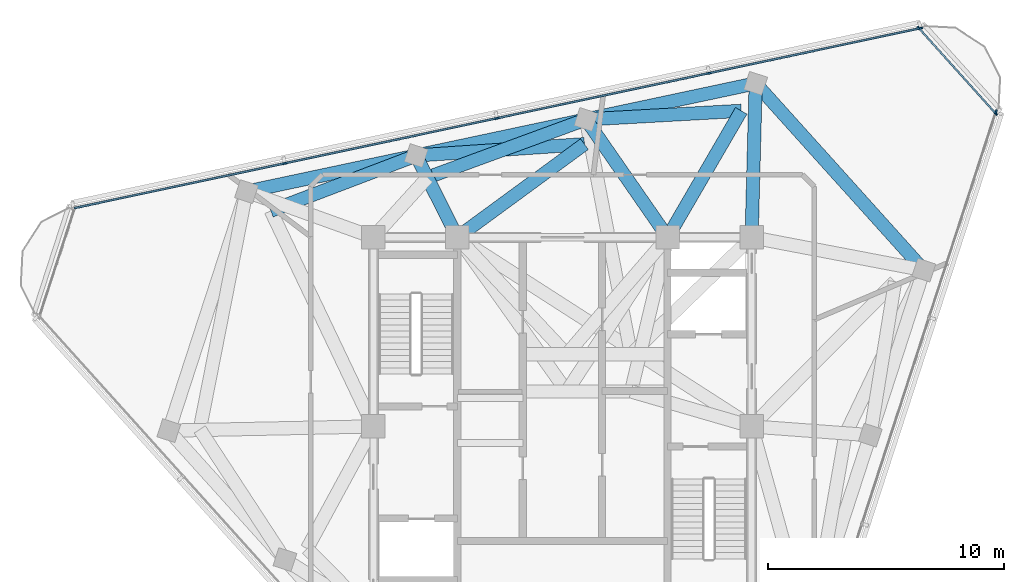
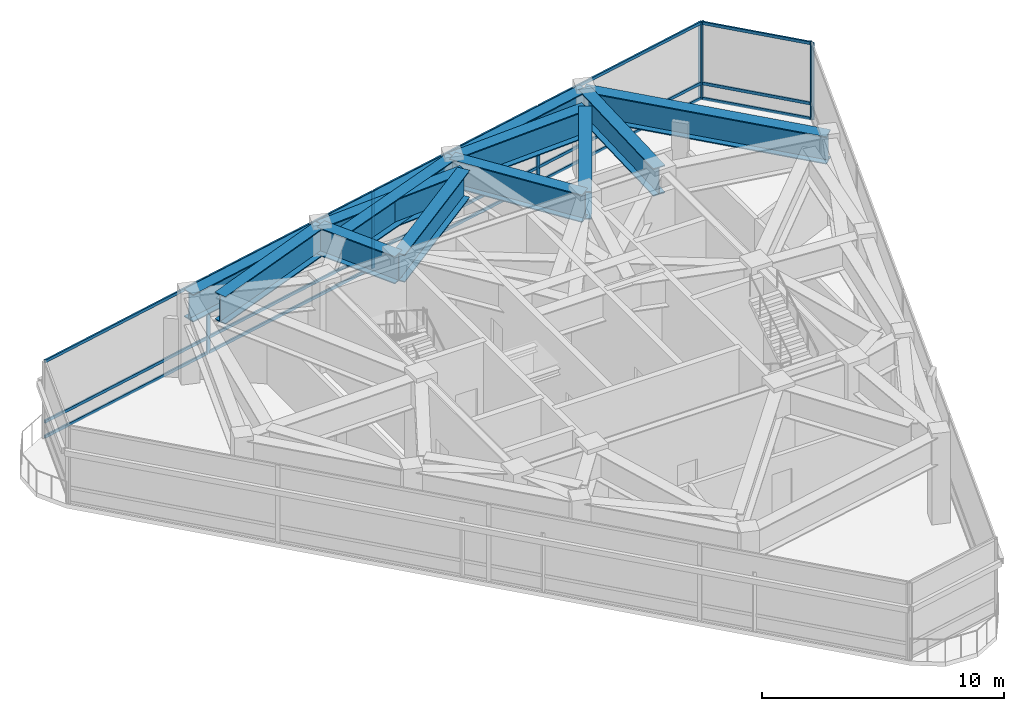
# One storey, part 5 of 10: 22 members, 13 beams, 3 elements without a shape of their own.
"""IFC4 building model written with IfcOpenShell, lengths in metres."""

from ifc_helpers import new_model, si_unit, direction, frame, origin, origin_2d, place, context, subcontext, project, spatial, rectangle, i_section, extrude, material, layer, layer_set, material_profile, profile_set, type_object, element, aggregate, save


model = new_model("IFC4")

# Units and contexts
model_context = context("Model", 3, precision=1e-05, world=origin(), true_north=direction((0.0, 1.0)))
body_context = subcontext(model_context, "Body", "Model", "MODEL_VIEW")
ifc_project = project(units=[si_unit("LENGTHUNIT", "METRE"), si_unit("AREAUNIT", "SQUARE_METRE"), si_unit("VOLUMEUNIT", "CUBIC_METRE"), si_unit("PLANEANGLEUNIT", "RADIAN"), si_unit("MASSUNIT", "GRAM", prefix="KILO")], contexts=[model_context])

# Site, building, storey
site_placement = place(None, origin())
site = spatial("IfcSite", under=ifc_project, at=site_placement, CompositionType="ELEMENT")
building_placement = place(site_placement, origin())
building = spatial("IfcBuilding", under=site, at=building_placement, Name="Terralouvre Media Tower", CompositionType="ELEMENT")
storey_placement = place(building_placement, frame((0.0, 0.0, 317.39990234375)))
storey = spatial("IfcBuildingStorey", under=building, at=storey_placement, Name="L82", CompositionType="ELEMENT", Elevation=317.39990234375)

# Curtain wall, members
ifc_material_1 = material(Name="Low-iron laminated double glazing with solar-control coating", Category="glass")
ifc_layer_1 = layer(ifc_material_1, 0.1650390625, Name="Faceted Glass-Point Crown Curtain Wall CW-06")
ifc_layer_set_1 = layer_set([ifc_layer_1], Name="Low-iron laminated double glazing with solar-control coating")
curtain_wall_type_1 = type_object("IfcCurtainWallType", Name="Faceted Glass-Point Crown Curtain Wall CW-06", PredefinedType="NOTDEFINED", material=ifc_layer_set_1)
curtain_wall_1_placement = place(storey_placement, origin())
curtain_wall_1 = element("IfcCurtainWall", 1, at=curtain_wall_1_placement, inside=storey, type_object=curtain_wall_type_1, Name="L82 Facade Curtain Wall F1", PredefinedType="NOTDEFINED")
ifc_material_2 = material(Name="Anodised extruded aluminium 6063-T6", Category="aluminium")
ifc_material_profile_1 = material_profile(ifc_material_2, rectangle(XDim=0.074951171875, YDim=0.14990234375, at=origin_2d()), Name="ALU 75x150")
ifc_profile_set_1 = profile_set([ifc_material_profile_1], Name="Anodised extruded aluminium 6063-T6")
member_type_1 = type_object("IfcMemberType", Name="Curtain-Wall Horizontal Transom TR-150", PredefinedType="USERDEFINED", material=ifc_profile_set_1)
member_1_placement = place(storey_placement, frame((15.10546875, 16.832763671875, 0.03759765625), z_axis=(-0.978146045856, -0.207919005809, 0.0), x_axis=(0.207919005809, -0.978146045856, 0.0)))
member_1 = element("IfcMember", 2, at=member_1_placement, type_object=member_type_1, Name="CW-06 transom 1.1", ObjectType="TRANSOM", PredefinedType="USERDEFINED", context=body_context, shape_type="SweptSolid", body=[
    extrude(rectangle(XDim=0.074951171875, YDim=0.14990234375, at=origin_2d()), origin(), (0.0, 0.0, 1.0), 9.0625),
])
member_2_placement = place(storey_placement, frame((15.10546875, 16.832763671875, 0.800048828125), z_axis=(-0.978146045856, -0.207919005809, 0.0), x_axis=(0.207919005809, -0.978146045856, 0.0)))
member_2 = element("IfcMember", 3, at=member_2_placement, type_object=member_type_1, Name="CW-06 transom 1.2", ObjectType="TRANSOM", PredefinedType="USERDEFINED", context=body_context, shape_type="SweptSolid", body=[
    extrude(rectangle(XDim=0.074951171875, YDim=0.14990234375, at=origin_2d()), origin(), (0.0, 0.0, 1.0), 9.0625),
])
member_3_placement = place(storey_placement, frame((15.10546875, 16.832763671875, 3.842529296875), z_axis=(-0.978146045856, -0.207919005809, 0.0), x_axis=(0.207919005809, -0.978146045856, 0.0)))
member_3 = element("IfcMember", 4, at=member_3_placement, type_object=member_type_1, Name="CW-06 transom 1.3", ObjectType="TRANSOM", PredefinedType="USERDEFINED", context=body_context, shape_type="SweptSolid", body=[
    extrude(rectangle(XDim=0.074951171875, YDim=0.14990234375, at=origin_2d()), origin(), (0.0, 0.0, 1.0), 9.0625),
])
member_4_placement = place(storey_placement, frame((6.16748046875, 14.93310546875, 0.03759765625), z_axis=(-0.978145416506, -0.207921966536, 0.0), x_axis=(0.207921966536, -0.978145416506, 0.0)))
member_4 = element("IfcMember", 5, at=member_4_placement, type_object=member_type_1, Name="CW-06 transom 2.1", ObjectType="TRANSOM", PredefinedType="USERDEFINED", context=body_context, shape_type="SweptSolid", body=[
    extrude(rectangle(XDim=0.074951171875, YDim=0.14990234375, at=origin_2d()), origin(), (0.0, 0.0, 1.0), 9.10009765625),
])
member_5_placement = place(storey_placement, frame((6.16748046875, 14.93310546875, 0.800048828125), z_axis=(-0.978145416506, -0.207921966536, 0.0), x_axis=(0.207921966536, -0.978145416506, 0.0)))
member_5 = element("IfcMember", 6, at=member_5_placement, type_object=member_type_1, Name="CW-06 transom 2.2", ObjectType="TRANSOM", PredefinedType="USERDEFINED", context=body_context, shape_type="SweptSolid", body=[
    extrude(rectangle(XDim=0.074951171875, YDim=0.14990234375, at=origin_2d()), origin(), (0.0, 0.0, 1.0), 9.10009765625),
])
member_6_placement = place(storey_placement, frame((6.16748046875, 14.93310546875, 3.842529296875), z_axis=(-0.978145416506, -0.207921966536, 0.0), x_axis=(0.207921966536, -0.978145416506, 0.0)))
member_6 = element("IfcMember", 7, at=member_6_placement, type_object=member_type_1, Name="CW-06 transom 2.3", ObjectType="TRANSOM", PredefinedType="USERDEFINED", context=body_context, shape_type="SweptSolid", body=[
    extrude(rectangle(XDim=0.074951171875, YDim=0.14990234375, at=origin_2d()), origin(), (0.0, 0.0, 1.0), 9.10009765625),
])
member_7_placement = place(storey_placement, frame((-2.806884765625, 13.025390625, 0.03759765625), z_axis=(-0.978145416506, -0.207921966536, 0.0), x_axis=(0.207921966536, -0.978145416506, 0.0)))
member_7 = element("IfcMember", 8, at=member_7_placement, type_object=member_type_1, Name="CW-06 transom 3.1", ObjectType="TRANSOM", PredefinedType="USERDEFINED", context=body_context, shape_type="SweptSolid", body=[
    extrude(rectangle(XDim=0.074951171875, YDim=0.14990234375, at=origin_2d()), origin(), (0.0, 0.0, 1.0), 9.10009765625),
])
member_8_placement = place(storey_placement, frame((-2.806884765625, 13.025390625, 0.800048828125), z_axis=(-0.978145416506, -0.207921966536, 0.0), x_axis=(0.207921966536, -0.978145416506, 0.0)))
member_8 = element("IfcMember", 9, at=member_8_placement, type_object=member_type_1, Name="CW-06 transom 3.2", ObjectType="TRANSOM", PredefinedType="USERDEFINED", context=body_context, shape_type="SweptSolid", body=[
    extrude(rectangle(XDim=0.074951171875, YDim=0.14990234375, at=origin_2d()), origin(), (0.0, 0.0, 1.0), 9.10009765625),
])
member_9_placement = place(storey_placement, frame((-2.806884765625, 13.025390625, 3.842529296875), z_axis=(-0.978145416506, -0.207921966536, 0.0), x_axis=(0.207921966536, -0.978145416506, 0.0)))
member_9 = element("IfcMember", 10, at=member_9_placement, type_object=member_type_1, Name="CW-06 transom 3.3", ObjectType="TRANSOM", PredefinedType="USERDEFINED", context=body_context, shape_type="SweptSolid", body=[
    extrude(rectangle(XDim=0.074951171875, YDim=0.14990234375, at=origin_2d()), origin(), (0.0, 0.0, 1.0), 9.10009765625),
])
member_10_placement = place(storey_placement, frame((-11.781494140625, 11.117919921875, 0.03759765625), z_axis=(-0.978146045856, -0.207919005809, 0.0), x_axis=(0.207919005809, -0.978146045856, 0.0)))
member_10 = element("IfcMember", 11, at=member_10_placement, type_object=member_type_1, Name="CW-06 transom 4.1", ObjectType="TRANSOM", PredefinedType="USERDEFINED", context=body_context, shape_type="SweptSolid", body=[
    extrude(rectangle(XDim=0.074951171875, YDim=0.14990234375, at=origin_2d()), origin(), (0.0, 0.0, 1.0), 9.0625),
])
member_11_placement = place(storey_placement, frame((-11.781494140625, 11.117919921875, 0.800048828125), z_axis=(-0.978146045856, -0.207919005809, 0.0), x_axis=(0.207919005809, -0.978146045856, 0.0)))
member_11 = element("IfcMember", 12, at=member_11_placement, type_object=member_type_1, Name="CW-06 transom 4.2", ObjectType="TRANSOM", PredefinedType="USERDEFINED", context=body_context, shape_type="SweptSolid", body=[
    extrude(rectangle(XDim=0.074951171875, YDim=0.14990234375, at=origin_2d()), origin(), (0.0, 0.0, 1.0), 9.0625),
])
member_12_placement = place(storey_placement, frame((-11.781494140625, 11.117919921875, 3.842529296875), z_axis=(-0.978146045856, -0.207919005809, 0.0), x_axis=(0.207919005809, -0.978146045856, 0.0)))
member_12 = element("IfcMember", 13, at=member_12_placement, type_object=member_type_1, Name="CW-06 transom 4.3", ObjectType="TRANSOM", PredefinedType="USERDEFINED", context=body_context, shape_type="SweptSolid", body=[
    extrude(rectangle(XDim=0.074951171875, YDim=0.14990234375, at=origin_2d()), origin(), (0.0, 0.0, 1.0), 9.0625),
])

ifc_material_3 = material(Name="Low-iron laminated double glazing with solar-control coating", Category="glass")
ifc_layer_2 = layer(ifc_material_3, 0.1650390625, Name="Rounded Wind-Corner Curved Glazing CW-04")
ifc_layer_set_2 = layer_set([ifc_layer_2], Name="Low-iron laminated double glazing with solar-control coating")
curtain_wall_type_2 = type_object("IfcCurtainWallType", Name="Rounded Wind-Corner Curved Glazing CW-04", PredefinedType="NOTDEFINED", material=ifc_layer_set_2)
curtain_wall_2_placement = place(storey_placement, origin())
curtain_wall_2 = element("IfcCurtainWall", 14, at=curtain_wall_2_placement, inside=storey, type_object=curtain_wall_type_2, Name="L82 Rounded Wind-Corner Curtain Wall C1", PredefinedType="NOTDEFINED")
member_13_placement = place(storey_placement, frame((18.302490234375, 13.259521484375, 0.03759765625), z_axis=(-0.669130986055, 0.743144483597, 0.0), x_axis=(-0.743144483597, -0.669130986055, 0.0)))
member_13 = element("IfcMember", 15, at=member_13_placement, type_object=member_type_1, Name="CW-04 transom 1.1", ObjectType="TRANSOM", PredefinedType="USERDEFINED", context=body_context, shape_type="SweptSolid", body=[
    extrude(rectangle(XDim=0.074951171875, YDim=0.14990234375, at=origin_2d()), origin(), (0.0, 0.0, 1.0), 4.786376953125),
])
member_14_placement = place(storey_placement, frame((18.302490234375, 13.259521484375, 0.800048828125), z_axis=(-0.669130986055, 0.743144483597, 0.0), x_axis=(-0.743144483597, -0.669130986055, 0.0)))
member_14 = element("IfcMember", 16, at=member_14_placement, type_object=member_type_1, Name="CW-04 transom 1.2", ObjectType="TRANSOM", PredefinedType="USERDEFINED", context=body_context, shape_type="SweptSolid", body=[
    extrude(rectangle(XDim=0.074951171875, YDim=0.14990234375, at=origin_2d()), origin(), (0.0, 0.0, 1.0), 4.786376953125),
])
member_15_placement = place(storey_placement, frame((18.302490234375, 13.259521484375, 3.842529296875), z_axis=(-0.669130986055, 0.743144483597, 0.0), x_axis=(-0.743144483597, -0.669130986055, 0.0)))
member_15 = element("IfcMember", 17, at=member_15_placement, type_object=member_type_1, Name="CW-04 transom 1.3", ObjectType="TRANSOM", PredefinedType="USERDEFINED", context=body_context, shape_type="SweptSolid", body=[
    extrude(rectangle(XDim=0.074951171875, YDim=0.14990234375, at=origin_2d()), origin(), (0.0, 0.0, 1.0), 4.786376953125),
])

# Curtain wall, member
curtain_wall_3_placement = place(storey_placement, origin())
curtain_wall_3 = element("IfcCurtainWall", 18, at=curtain_wall_3_placement, inside=storey, type_object=curtain_wall_type_1, Name="L82 Facade Curtain Wall F0", PredefinedType="NOTDEFINED")
ifc_material_4 = material(Name="Anodised extruded aluminium 6063-T6", Category="aluminium")
ifc_material_profile_2 = material_profile(ifc_material_4, rectangle(XDim=0.074951171875, YDim=0.179931640625, at=origin_2d()), Name="ALU 75x180")
ifc_profile_set_2 = profile_set([ifc_material_profile_2], Name="Anodised extruded aluminium 6063-T6")
member_type_2 = type_object("IfcMemberType", Name="Curtain-Wall Vertical Mullion ML-180", PredefinedType="MULLION", material=ifc_profile_set_2)
member_16_placement = place(storey_placement, frame((18.3310546875, 13.298828125, 0.0), z_axis=(0.0, 0.0, 1.0), x_axis=(-0.951056481023, 0.309017102933, 0.0)))
member_16 = element("IfcMember", 19, at=member_16_placement, type_object=member_type_2, Name="CW-06 mullion 5", PredefinedType="MULLION", context=body_context, shape_type="SweptSolid", body=[
    extrude(rectangle(XDim=0.074951171875, YDim=0.179931640625, at=origin_2d()), origin(), (0.0, 0.0, 1.0), 3.880126953125),
])
aggregate(curtain_wall_3, [member_16])

# Member
member_17_placement = place(storey_placement, frame((15.14208984375, 16.840576171875, 0.0), z_axis=(0.0, 0.0, 1.0), x_axis=(0.207911754001, -0.978147587304, 0.0)))
member_17 = element("IfcMember", 20, at=member_17_placement, type_object=member_type_2, Name="CW-06 mullion 1", PredefinedType="MULLION", context=body_context, shape_type="SweptSolid", body=[
    extrude(rectangle(XDim=0.074951171875, YDim=0.179931640625, at=origin_2d()), origin(), (0.0, 0.0, 1.0), 3.880126953125),
])

member_18_placement = place(storey_placement, frame((6.2041015625, 14.94091796875, 0.0), z_axis=(0.0, 0.0, 1.0), x_axis=(0.207911754001, -0.978147587304, 0.0)))
member_18 = element("IfcMember", 21, at=member_18_placement, type_object=member_type_2, Name="CW-06 mullion 2", PredefinedType="MULLION", context=body_context, shape_type="SweptSolid", body=[
    extrude(rectangle(XDim=0.074951171875, YDim=0.179931640625, at=origin_2d()), origin(), (0.0, 0.0, 1.0), 3.880126953125),
])

member_19_placement = place(storey_placement, frame((-2.770263671875, 13.033203125, 0.0), z_axis=(0.0, 0.0, 1.0), x_axis=(0.207911754001, -0.978147587304, 0.0)))
member_19 = element("IfcMember", 22, at=member_19_placement, type_object=member_type_2, Name="CW-06 mullion 3", PredefinedType="MULLION", context=body_context, shape_type="SweptSolid", body=[
    extrude(rectangle(XDim=0.074951171875, YDim=0.179931640625, at=origin_2d()), origin(), (0.0, 0.0, 1.0), 3.880126953125),
])

member_20_placement = place(storey_placement, frame((-11.744873046875, 11.125732421875, 0.0), z_axis=(0.0, 0.0, 1.0), x_axis=(0.207911754001, -0.978147587304, 0.0)))
member_20 = element("IfcMember", 23, at=member_20_placement, type_object=member_type_2, Name="CW-06 mullion 4", PredefinedType="MULLION", context=body_context, shape_type="SweptSolid", body=[
    extrude(rectangle(XDim=0.074951171875, YDim=0.179931640625, at=origin_2d()), origin(), (0.0, 0.0, 1.0), 3.880126953125),
])

aggregate(curtain_wall_1, [member_17, member_18, member_19, member_20, member_1, member_2, member_3, member_4, member_5, member_6, member_7, member_8, member_9, member_10, member_11, member_12])

member_21_placement = place(storey_placement, frame((18.32763671875, 13.2314453125, 0.0), z_axis=(0.0, 0.0, 1.0), x_axis=(-0.743144846043, -0.669130583518, 0.0)))
member_21 = element("IfcMember", 24, at=member_21_placement, type_object=member_type_2, Name="CW-04 mullion 1", PredefinedType="MULLION", context=body_context, shape_type="SweptSolid", body=[
    extrude(rectangle(XDim=0.074951171875, YDim=0.179931640625, at=origin_2d()), origin(), (0.0, 0.0, 1.0), 3.880126953125),
])

member_22_placement = place(storey_placement, frame((15.07470703125, 16.84423828125, 0.0), z_axis=(0.0, 0.0, 1.0), x_axis=(-0.743144846043, -0.669130583518, 0.0)))
member_22 = element("IfcMember", 25, at=member_22_placement, type_object=member_type_2, Name="CW-04 mullion 2", PredefinedType="MULLION", context=body_context, shape_type="SweptSolid", body=[
    extrude(rectangle(XDim=0.074951171875, YDim=0.179931640625, at=origin_2d()), origin(), (0.0, 0.0, 1.0), 3.880126953125),
])

aggregate(curtain_wall_2, [member_21, member_22, member_13, member_14, member_15])

# Beams
ifc_material_5 = material(Name="Structural steel S460M", Category="steel")
ifc_material_profile_3 = material_profile(ifc_material_5, i_section(OverallWidth=0.56005859375, OverallDepth=1.39990234375, WebThickness=0.031982421875, FlangeThickness=0.050048828125, at=origin_2d()), Name="TG 1400x560")
ifc_profile_set_3 = profile_set([ifc_material_profile_3], Name="Structural steel S460M")
beam_type = type_object("IfcBeamType", Name="Welded Transfer Girder TG-1400 (TG 1400x560)", PredefinedType="USERDEFINED", material=ifc_profile_set_3)
beam_1_placement = place(storey_placement, frame((15.28515625, 6.610107421875, 3.68017578125), z_axis=(-0.669129656759, 0.7431456805, 0.0), x_axis=(-0.7431456805, -0.669129656759, 0.0)))
element("IfcBeam", 26, at=beam_1_placement, inside=storey, type_object=beam_type, Name="L82 Framing Beam BM-L82-PR08", ObjectType="TRANSFER GIRDER", PredefinedType="USERDEFINED", context=body_context, shape_type="SweptSolid", body=[
    extrude(i_section(OverallWidth=0.56005859375, OverallDepth=1.39990234375, WebThickness=0.031982421875, FlangeThickness=0.050048828125, at=origin_2d()), origin(), (0.0, 0.0, 1.0), 10.631103515625),
])
beam_2_placement = place(storey_placement, frame((8.171630859375, 14.510498046875, 3.68017578125), z_axis=(-0.978145238567, -0.207922803628, 0.0), x_axis=(0.207922803628, -0.978145238567, 0.0)))
element("IfcBeam", 27, at=beam_2_placement, inside=storey, type_object=beam_type, Name="L82 Framing Beam BM-L82-PR09", ObjectType="TRANSFER GIRDER", PredefinedType="USERDEFINED", context=body_context, shape_type="SweptSolid", body=[
    extrude(i_section(OverallWidth=0.56005859375, OverallDepth=1.39990234375, WebThickness=0.031982421875, FlangeThickness=0.050048828125, at=origin_2d()), origin(), (0.0, 0.0, 1.0), 7.33984375),
])
for number, where, z_axis, x_axis, name in (
    (28, (0.9921875, 12.984375, 3.68017578125), (-0.97814667649, -0.207916038994, 0.0), (0.207916038994, -0.97814667649, 0.0), "L82 Framing Beam BM-L82-PR10"),
    (29, (-6.1875, 11.458251953125, 3.68017578125), (-0.97814667649, -0.207916038994, 0.0), (0.207916038994, -0.97814667649, 0.0), "L82 Framing Beam BM-L82-PR11"),
):
    element("IfcBeam", number, at=place(storey_placement, frame(where, z_axis=z_axis, x_axis=x_axis)), inside=storey, type_object=beam_type, Name=name, ObjectType="TRANSFER GIRDER", PredefinedType="USERDEFINED", context=body_context, shape_type="SweptSolid", body=[
        extrude(i_section(OverallWidth=0.56005859375, OverallDepth=1.39990234375, WebThickness=0.031982421875, FlangeThickness=0.050048828125, at=origin_2d()), origin(), (0.0, 0.0, 1.0), 7.340087890625),
    ])
beam_3_placement = place(storey_placement, frame((8.0, 8.0, 3.68017578125), z_axis=(0.026353014865, 0.999652698995, 0.0), x_axis=(-0.999652698995, 0.026353014865, 0.0)))
element("IfcBeam", 30, at=beam_3_placement, inside=storey, type_object=beam_type, Name="L82 Framing Beam BM-L82-RD09", ObjectType="TRANSFER GIRDER", PredefinedType="USERDEFINED", context=body_context, shape_type="SweptSolid", body=[
    extrude(i_section(OverallWidth=0.56005859375, OverallDepth=1.39990234375, WebThickness=0.031982421875, FlangeThickness=0.050048828125, at=origin_2d()), origin(), (0.0, 0.0, 1.0), 6.5126953125),
])
beam_4_placement = place(storey_placement, frame((4.449951171875, 8.0, 3.68017578125), z_axis=(-0.569994503324, 0.821648505251, 0.0), x_axis=(-0.821648505251, -0.569994503324, 0.0)))
element("IfcBeam", 31, at=beam_4_placement, inside=storey, type_object=beam_type, Name="L82 Framing Beam BM-L82-RD10", ObjectType="TRANSFER GIRDER", PredefinedType="USERDEFINED", context=body_context, shape_type="SweptSolid", body=[
    extrude(i_section(OverallWidth=0.56005859375, OverallDepth=1.39990234375, WebThickness=0.031982421875, FlangeThickness=0.050048828125, at=origin_2d()), origin(), (0.0, 0.0, 1.0), 6.06640625),
])
beam_5_placement = place(storey_placement, frame((-4.449951171875, 8.0, 3.68017578125), z_axis=(-0.448953808381, 0.893554966379, 0.0), x_axis=(-0.893554966379, -0.448953808381, 0.0)))
element("IfcBeam", 32, at=beam_5_placement, inside=storey, type_object=beam_type, Name="L82 Framing Beam BM-L82-RD11", ObjectType="TRANSFER GIRDER", PredefinedType="USERDEFINED", context=body_context, shape_type="SweptSolid", body=[
    extrude(i_section(OverallWidth=0.56005859375, OverallDepth=1.39990234375, WebThickness=0.031982421875, FlangeThickness=0.050048828125, at=origin_2d()), origin(), (0.0, 0.0, 1.0), 3.8701171875),
])
beam_6_placement = place(storey_placement, frame((7.5595703125, 13.349609375, 3.68017578125), z_axis=(-0.50254570679, -0.864550642002, 0.0), x_axis=(0.864550642002, -0.50254570679, 0.0)))
element("IfcBeam", 33, at=beam_6_placement, inside=storey, type_object=beam_type, Name="L82 Framing Beam BM-L82-TR05S1", ObjectType="TRANSFER GIRDER", PredefinedType="USERDEFINED", context=body_context, shape_type="SweptSolid", body=[
    extrude(i_section(OverallWidth=0.56005859375, OverallDepth=1.39990234375, WebThickness=0.031982421875, FlangeThickness=0.050048828125, at=origin_2d()), origin(), (0.0, 0.0, 1.0), 6.187744140625),
])
beam_7_placement = place(storey_placement, frame((7.5595703125, 13.349609375, 3.68017578125), z_axis=(-0.998457153742, -0.05552758, 0.0), x_axis=(0.05552758, -0.998457153742, 0.0)))
element("IfcBeam", 34, at=beam_7_placement, inside=storey, type_object=beam_type, Name="L82 Framing Beam BM-L82-TR05S2", ObjectType="TRANSFER GIRDER", PredefinedType="USERDEFINED", context=body_context, shape_type="SweptSolid", body=[
    extrude(i_section(OverallWidth=0.56005859375, OverallDepth=1.39990234375, WebThickness=0.031982421875, FlangeThickness=0.050048828125, at=origin_2d()), origin(), (0.0, 0.0, 1.0), 6.57763671875),
])
beam_8_placement = place(storey_placement, frame((0.927734375, 11.93994140625, 3.68017578125), z_axis=(-0.806669206441, -0.591003207588, 0.0), x_axis=(0.591003207588, -0.806669206441, 0.0)))
element("IfcBeam", 35, at=beam_8_placement, inside=storey, type_object=beam_type, Name="L82 Framing Beam BM-L82-TR06S1", ObjectType="TRANSFER GIRDER", PredefinedType="USERDEFINED", context=body_context, shape_type="SweptSolid", body=[
    extrude(i_section(OverallWidth=0.56005859375, OverallDepth=1.39990234375, WebThickness=0.031982421875, FlangeThickness=0.050048828125, at=origin_2d()), origin(), (0.0, 0.0, 1.0), 6.66650390625),
])
beam_9_placement = place(storey_placement, frame((0.927734375, 11.93994140625, 3.68017578125), z_axis=(-0.997716315072, -0.06754372391, 0.0), x_axis=(0.06754372391, -0.997716315072, 0.0)))
element("IfcBeam", 36, at=beam_9_placement, inside=storey, type_object=beam_type, Name="L82 Framing Beam BM-L82-TR06S2", ObjectType="TRANSFER GIRDER", PredefinedType="USERDEFINED", context=body_context, shape_type="SweptSolid", body=[
    extrude(i_section(OverallWidth=0.56005859375, OverallDepth=1.39990234375, WebThickness=0.031982421875, FlangeThickness=0.050048828125, at=origin_2d()), origin(), (0.0, 0.0, 1.0), 7.131591796875),
])
beam_10_placement = place(storey_placement, frame((-5.7041015625, 10.5302734375, 3.68017578125), z_axis=(0.938930888435, 0.344105778422, 0.0), x_axis=(-0.344105778422, 0.938930888435, 0.0)))
element("IfcBeam", 37, at=beam_10_placement, inside=storey, type_object=beam_type, Name="L82 Framing Beam BM-L82-TR07S2", ObjectType="TRANSFER GIRDER", PredefinedType="USERDEFINED", context=body_context, shape_type="SweptSolid", body=[
    extrude(i_section(OverallWidth=0.56005859375, OverallDepth=1.39990234375, WebThickness=0.031982421875, FlangeThickness=0.050048828125, at=origin_2d()), origin(), (0.0, 0.0, 1.0), 7.1318359375),
])
beam_11_placement = place(storey_placement, frame((-12.3359375, 9.12060546875, 3.68017578125), z_axis=(0.934720958516, 0.355382511825, 0.0), x_axis=(-0.355382511825, 0.934720958516, 0.0)))
element("IfcBeam", 38, at=beam_11_placement, inside=storey, type_object=beam_type, Name="L82 Framing Beam BM-L82-TR08S1", ObjectType="TRANSFER GIRDER", PredefinedType="USERDEFINED", context=body_context, shape_type="SweptSolid", body=[
    extrude(i_section(OverallWidth=0.56005859375, OverallDepth=1.39990234375, WebThickness=0.031982421875, FlangeThickness=0.050048828125, at=origin_2d()), origin(), (0.0, 0.0, 1.0), 6.577880859375),
])

save(model, "model.ifc")
